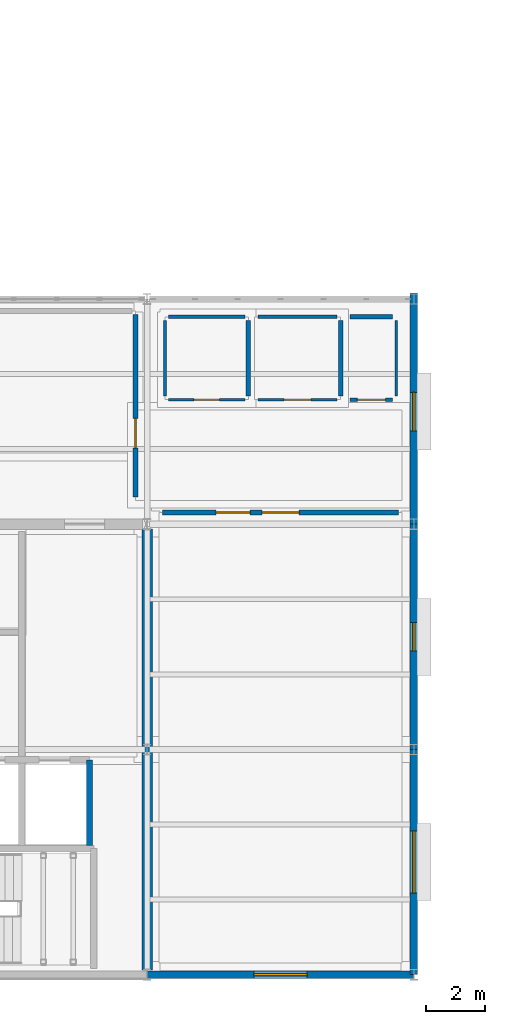
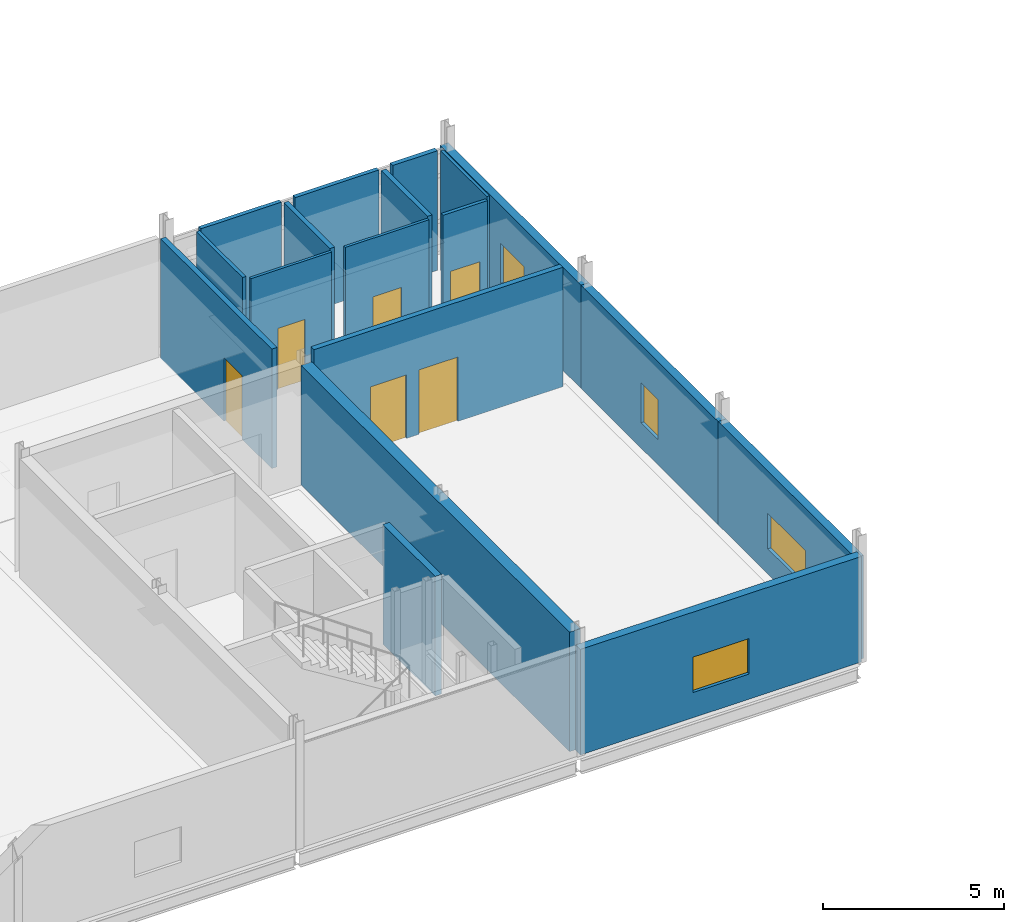
# One storey, part 87 of 96: 18 walls, 6 doors, 4 windows, 10 openings.
"""IFC4 building model written with IfcOpenShell, lengths in metres."""

from ifc_helpers import new_model, si_unit, direction, frame, frame_2d, origin, place, context, subcontext, project, spatial, rectangle, extrude, material, layer, layer_set, type_object, element, fill, save


model = new_model("IFC4")

# Units and contexts
model_context = context("Model", 3, precision=1e-05, world=origin(), true_north=direction((0.0, 1.0)))
body_context = subcontext(model_context, "Body", "Model", "MODEL_VIEW")
ifc_project = project(units=[si_unit("LENGTHUNIT", "METRE"), si_unit("AREAUNIT", "SQUARE_METRE"), si_unit("VOLUMEUNIT", "CUBIC_METRE"), si_unit("PLANEANGLEUNIT", "RADIAN"), si_unit("MASSUNIT", "GRAM", prefix="KILO")], contexts=[model_context])

# Site, building, storey
site_placement = place(None, origin())
site = spatial("IfcSite", under=ifc_project, at=site_placement, CompositionType="ELEMENT")
building_placement = place(site_placement, origin())
building = spatial("IfcBuilding", under=site, at=building_placement, Name="Caisbarro Railhouse Central Library", CompositionType="ELEMENT")
storey_placement = place(building_placement, frame((0.0, 0.0, 13.679931640625)))
storey = spatial("IfcBuildingStorey", under=building, at=storey_placement, Name="L03", CompositionType="ELEMENT", Elevation=13.679931640625)

# Wall
ifc_material_1 = material(Name="Concrete C40", Category="concrete")
ifc_layer_1 = layer(ifc_material_1, 0.35009765625, Name="Concrete C40")
ifc_layer_set_1 = layer_set([ifc_layer_1], Name="Concrete C40")
wall_type_1 = type_object("IfcWallType", Name="WAL-CW35", PredefinedType="SHEAR", material=ifc_layer_set_1)
wall_1_placement = place(storey_placement, frame((99.0, 0.159912109375, 0.0), z_axis=(0.0, 0.0, 1.0), x_axis=(0.0, 1.0, 0.0)))
element("IfcWall", 1, at=wall_1_placement, inside=storey, type_object=wall_type_1, Name="CW35 RC core shear wall L03 #34", PredefinedType="SHEAR", context=body_context, shape_type="SweptSolid", body=[
    extrude(rectangle(XDim=14.880126953125, YDim=0.35009765625, at=frame_2d((7.43994140625, 0.0))), origin(), (0.0, 0.0, 1.0), 4.0400390625),
])

# Wall, opening, window
ifc_material_2 = material(Name="Concrete C35 insulated architectural precast", Category="concrete")
ifc_layer_2 = layer(ifc_material_2, 0.260009765625, Name="Concrete C35 insulated architectural precast")
ifc_layer_set_2 = layer_set([ifc_layer_2], Name="Concrete C35 insulated architectural precast")
wall_type_2 = type_object("IfcWallType", Name="WAL-EW26", PredefinedType="STANDARD", material=ifc_layer_set_2)
wall_2_placement = place(storey_placement, frame((99.0, 0.0, 0.0), z_axis=(0.0, 0.0, 1.0), x_axis=(1.0, 0.0, 0.0)))
wall_2 = element("IfcWall", 2, at=wall_2_placement, inside=storey, type_object=wall_type_2, Name="EW26 exterior wall L03 #110", PredefinedType="STANDARD", context=body_context, shape_type="SweptSolid", body=[
    extrude(rectangle(XDim=9.0, YDim=0.260009765625, at=frame_2d((4.5, 0.0))), origin(), (0.0, 0.0, 1.0), 3.571044921875),
])
opening_1_placement = place(wall_2_placement, frame((3.60009765625, 0.0, 0.85009765625)))
opening_1 = element("IfcOpeningElement", 3, at=opening_1_placement, cuts=wall_2, Name="Opening W07", PredefinedType="OPENING", context=body_context, shape_type="SweptSolid", body=[
    extrude(rectangle(XDim=1.800048828125, YDim=1.199951171875, at=frame_2d((0.89990234375, 0.60009765625))), frame((0.0, 0.14013671875, 0.0), z_axis=(0.0, -1.0, 0.0), x_axis=(1.0, 0.0, 0.0)), (0.0, 0.0, 1.0), 0.280029296875),
])
ifc_material_3 = material(Name="Double low-e laminated solar-control glass", Category="glass")
window_type_1 = type_object("IfcWindowType", Name="WIN-W07", PartitioningType="SINGLE_PANEL", PredefinedType="WINDOW", material=ifc_material_3)
window_1_placement = place(opening_1_placement, origin())
window_1 = element("IfcWindow", 4, at=window_1_placement, inside=storey, type_object=window_type_1, Name="W07 window L03-030", OverallHeight=1.199951171875, OverallWidth=1.800048828125, PartitioningType="SINGLE_PANEL", PredefinedType="WINDOW", context=body_context, shape_type="SweptSolid", body=[
    extrude(rectangle(XDim=1.800048828125, YDim=1.199951171875, at=frame_2d((0.89990234375, 0.60009765625))), frame((0.0, 0.030029296875, 0.0), z_axis=(0.0, -1.0, 0.0), x_axis=(1.0, 0.0, 0.0)), (0.0, 0.0, 1.0), 0.06005859375),
])
fill(opening_1, window_1)

wall_3_placement = place(storey_placement, frame((108.0, 0.0, 0.0), z_axis=(0.0, 0.0, 1.0), x_axis=(0.0, 1.0, 0.0)))
wall_3 = element("IfcWall", 5, at=wall_3_placement, inside=storey, type_object=wall_type_2, Name="EW26 exterior wall L03 #111", PredefinedType="STANDARD", context=body_context, shape_type="SweptSolid", body=[
    extrude(rectangle(XDim=7.60009765625, YDim=0.260009765625, at=frame_2d((3.800048828125, 0.0))), origin(), (0.0, 0.0, 1.0), 3.484130859375),
])
opening_2_placement = place(wall_3_placement, frame((2.75, 0.0, 0.85009765625)))
opening_2 = element("IfcOpeningElement", 6, at=opening_2_placement, cuts=wall_3, Name="Opening W08", PredefinedType="OPENING", context=body_context, shape_type="SweptSolid", body=[
    extrude(rectangle(XDim=2.10009765625, YDim=1.199951171875, at=frame_2d((1.050048828125, 0.60009765625))), frame((0.0, 0.14013671875, 0.0), z_axis=(0.0, -1.0, 0.0), x_axis=(1.0, 0.0, 0.0)), (0.0, 0.0, 1.0), 0.280029296875),
])
window_type_2 = type_object("IfcWindowType", Name="WIN-W08", PartitioningType="SINGLE_PANEL", PredefinedType="WINDOW", material=ifc_material_3)
window_2_placement = place(opening_2_placement, origin())
window_2 = element("IfcWindow", 7, at=window_2_placement, inside=storey, type_object=window_type_2, Name="W08 window L03-031", OverallHeight=1.199951171875, OverallWidth=2.10009765625, PartitioningType="SINGLE_PANEL", PredefinedType="WINDOW", context=body_context, shape_type="SweptSolid", body=[
    extrude(rectangle(XDim=2.10009765625, YDim=1.199951171875, at=frame_2d((1.050048828125, 0.60009765625))), frame((0.0, 0.030029296875, 0.0), z_axis=(0.0, -1.0, 0.0), x_axis=(1.0, 0.0, 0.0)), (0.0, 0.0, 1.0), 0.06005859375),
])
fill(opening_2, window_2)

wall_4_placement = place(storey_placement, frame((108.0, 7.60009765625, 0.0), z_axis=(0.0, 0.0, 1.0), x_axis=(0.0, 1.0, 0.0)))
wall_4 = element("IfcWall", 8, at=wall_4_placement, inside=storey, type_object=wall_type_2, Name="EW26 exterior wall L03 #113", PredefinedType="STANDARD", context=body_context, shape_type="SweptSolid", body=[
    extrude(rectangle(XDim=7.599853515625, YDim=0.260009765625, at=frame_2d((3.7998046875, 0.0))), origin(), (0.0, 0.0, 1.0), 3.484130859375),
])
opening_3_placement = place(wall_4_placement, frame((3.324951171875, 0.0, 0.85009765625)))
opening_3 = element("IfcOpeningElement", 9, at=opening_3_placement, cuts=wall_4, Name="Opening W10", PredefinedType="OPENING", context=body_context, shape_type="SweptSolid", body=[
    extrude(rectangle(XDim=0.949951171875, YDim=1.35009765625, at=frame_2d((0.47509765625, 0.675048828125))), frame((0.0, 0.14013671875, 0.0), z_axis=(0.0, -1.0, 0.0), x_axis=(1.0, 0.0, 0.0)), (0.0, 0.0, 1.0), 0.280029296875),
])
window_type_3 = type_object("IfcWindowType", Name="WIN-W10", PartitioningType="SINGLE_PANEL", PredefinedType="WINDOW", material=ifc_material_3)
window_3_placement = place(opening_3_placement, origin())
window_3 = element("IfcWindow", 10, at=window_3_placement, inside=storey, type_object=window_type_3, Name="W10 window L03-033", OverallHeight=1.35009765625, OverallWidth=0.949951171875, PartitioningType="SINGLE_PANEL", PredefinedType="WINDOW", context=body_context, shape_type="SweptSolid", body=[
    extrude(rectangle(XDim=0.949951171875, YDim=1.35009765625, at=frame_2d((0.47509765625, 0.675048828125))), frame((0.0, 0.030029296875, 0.0), z_axis=(0.0, -1.0, 0.0), x_axis=(1.0, 0.0, 0.0)), (0.0, 0.0, 1.0), 0.06005859375),
])
fill(opening_3, window_3)

wall_5_placement = place(storey_placement, frame((108.0, 15.199951171875, 0.0), z_axis=(0.0, 0.0, 1.0), x_axis=(0.0, 1.0, 0.0)))
wall_5 = element("IfcWall", 11, at=wall_5_placement, inside=storey, type_object=wall_type_2, Name="EW26 exterior wall L03 #115", PredefinedType="STANDARD", context=body_context, shape_type="SweptSolid", body=[
    extrude(rectangle(XDim=7.81005859375, YDim=0.260009765625, at=frame_2d((3.905029296875, 0.0))), origin(), (0.0, 0.0, 1.0), 3.484130859375),
])
opening_4_placement = place(wall_5_placement, frame((3.14990234375, 0.0, 0.85009765625)))
opening_4 = element("IfcOpeningElement", 12, at=opening_4_placement, cuts=wall_5, Name="Opening W12", PredefinedType="OPENING", context=body_context, shape_type="SweptSolid", body=[
    extrude(rectangle(XDim=1.300048828125, YDim=1.35009765625, at=frame_2d((0.64990234375, 0.675048828125))), frame((0.0, 0.14013671875, 0.0), z_axis=(0.0, -1.0, 0.0), x_axis=(1.0, 0.0, 0.0)), (0.0, 0.0, 1.0), 0.280029296875),
])
window_type_4 = type_object("IfcWindowType", Name="WIN-W12", PartitioningType="SINGLE_PANEL", PredefinedType="WINDOW", material=ifc_material_3)
window_4_placement = place(opening_4_placement, origin())
window_4 = element("IfcWindow", 13, at=window_4_placement, inside=storey, type_object=window_type_4, Name="W12 window L03-035", OverallHeight=1.35009765625, OverallWidth=1.300048828125, PartitioningType="SINGLE_PANEL", PredefinedType="WINDOW", context=body_context, shape_type="SweptSolid", body=[
    extrude(rectangle(XDim=1.300048828125, YDim=1.35009765625, at=frame_2d((0.64990234375, 0.675048828125))), frame((0.0, 0.030029296875, 0.0), z_axis=(0.0, -1.0, 0.0), x_axis=(1.0, 0.0, 0.0)), (0.0, 0.0, 1.0), 0.06005859375),
])
fill(opening_4, window_4)

# Wall, opening, door
ifc_material_4 = material(Name="Acoustic gypsum board on galvanised steel studs", Category="steel")
ifc_layer_3 = layer(ifc_material_4, 0.090087890625, Name="Acoustic gypsum board on galvanised steel studs")
ifc_layer_set_3 = layer_set([ifc_layer_3], Name="Acoustic gypsum board on galvanised steel studs")
wall_type_3 = type_object("IfcWallType", Name="WAL-IW09", PredefinedType="PARTITIONING", material=ifc_layer_set_3)
wall_6_placement = place(storey_placement, frame((99.719970703125, 19.39990234375, 0.0), z_axis=(0.0, 0.0, 1.0), x_axis=(1.0, 0.0, 0.0)))
wall_6 = element("IfcWall", 14, at=wall_6_placement, inside=storey, type_object=wall_type_3, Name="IW09 partition wall L03 #548", PredefinedType="PARTITIONING", context=body_context, shape_type="SweptSolid", body=[
    extrude(rectangle(XDim=2.575927734375, YDim=0.090087890625, at=frame_2d((1.2880859375, 0.0))), origin(), (0.0, 0.0, 1.0), 4.0400390625),
])
opening_5_placement = place(wall_6_placement, frame((0.85791015625, 0.0, 0.0)))
opening_5 = element("IfcOpeningElement", 15, at=opening_5_placement, cuts=wall_6, Name="Opening ID01", PredefinedType="OPENING", context=body_context, shape_type="SweptSolid", body=[
    extrude(rectangle(XDim=0.860107421875, YDim=2.06005859375, at=frame_2d((0.43017578125, 1.030029296875))), frame((0.0, 0.05517578125, 0.0), z_axis=(0.0, -1.0, 0.0), x_axis=(1.0, 0.0, 0.0)), (0.0, 0.0, 1.0), 0.110107421875),
])
ifc_material_5 = material(Name="Solid-core tropical hardwood veneer", Category="wood")
door_type_1 = type_object("IfcDoorType", Name="DR-ID01", OperationType="NOTDEFINED", PredefinedType="DOOR", material=ifc_material_5)
door_1_placement = place(opening_5_placement, origin())
door_1 = element("IfcDoor", 16, at=door_1_placement, inside=storey, type_object=door_type_1, Name="Male WC L03-V5 Door ID01 L03-312", OperationType="SINGLE_SWING_RIGHT", OverallHeight=2.06005859375, OverallWidth=0.860107421875, PredefinedType="DOOR", context=body_context, shape_type="SweptSolid", body=[
    extrude(rectangle(XDim=0.860107421875, YDim=2.06005859375, at=frame_2d((0.43017578125, 1.030029296875))), frame((0.0, 0.02490234375, 0.0), z_axis=(0.0, -1.0, 0.0), x_axis=(1.0, 0.0, 0.0)), (0.0, 0.0, 1.0), 0.050048828125),
])
fill(opening_5, door_1)

wall_7_placement = place(storey_placement, frame((102.736083984375, 19.39990234375, 0.0), z_axis=(0.0, 0.0, 1.0), x_axis=(1.0, 0.0, 0.0)))
wall_7 = element("IfcWall", 17, at=wall_7_placement, inside=storey, type_object=wall_type_3, Name="IW09 partition wall L03 #552", PredefinedType="PARTITIONING", context=body_context, shape_type="SweptSolid", body=[
    extrude(rectangle(XDim=2.676025390625, YDim=0.090087890625, at=frame_2d((1.337890625, 0.0))), origin(), (0.0, 0.0, 1.0), 4.0400390625),
])
opening_6_placement = place(wall_7_placement, frame((0.887939453125, 0.0, 0.0)))
opening_6 = element("IfcOpeningElement", 18, at=opening_6_placement, cuts=wall_7, Name="Opening ID02", PredefinedType="OPENING", context=body_context, shape_type="SweptSolid", body=[
    extrude(rectangle(XDim=0.89990234375, YDim=2.06005859375, at=frame_2d((0.449951171875, 1.030029296875))), frame((0.0, 0.05517578125, 0.0), z_axis=(0.0, -1.0, 0.0), x_axis=(1.0, 0.0, 0.0)), (0.0, 0.0, 1.0), 0.110107421875),
])
door_type_2 = type_object("IfcDoorType", Name="DR-ID02", OperationType="NOTDEFINED", PredefinedType="DOOR", material=ifc_material_5)
door_2_placement = place(opening_6_placement, origin())
door_2 = element("IfcDoor", 19, at=door_2_placement, inside=storey, type_object=door_type_2, Name="Female WC L03-V5 Door ID02 L03-313", OperationType="SINGLE_SWING_LEFT", OverallHeight=2.06005859375, OverallWidth=0.89990234375, PredefinedType="DOOR", context=body_context, shape_type="SweptSolid", body=[
    extrude(rectangle(XDim=0.89990234375, YDim=2.06005859375, at=frame_2d((0.449951171875, 1.030029296875))), frame((0.0, 0.02490234375, 0.0), z_axis=(0.0, -1.0, 0.0), x_axis=(1.0, 0.0, 0.0)), (0.0, 0.0, 1.0), 0.050048828125),
])
fill(opening_6, door_2)

# Walls
wall_8_placement = place(storey_placement, frame((107.39990234375, 19.52001953125, 0.0), z_axis=(0.0, 0.0, 1.0), x_axis=(0.0, 1.0, 0.0)))
element("IfcWall", 20, at=wall_8_placement, inside=storey, type_object=wall_type_3, Name="IW09 partition wall L03 #556", PredefinedType="PARTITIONING", context=body_context, shape_type="SweptSolid", body=[
    extrude(rectangle(XDim=2.56005859375, YDim=0.090087890625, at=frame_2d((1.280029296875, 0.0))), origin(), (0.0, 0.0, 1.0), 4.0400390625),
])
ifc_layer_4 = layer(ifc_material_4, 0.110107421875, Name="Acoustic gypsum board on galvanised steel studs")
ifc_layer_set_4 = layer_set([ifc_layer_4], Name="Acoustic gypsum board on galvanised steel studs")
wall_type_4 = type_object("IfcWallType", Name="WAL-IW11", PredefinedType="PARTITIONING", material=ifc_layer_set_4)
wall_9_placement = place(storey_placement, frame((99.60009765625, 19.52001953125, 0.0), z_axis=(0.0, 0.0, 1.0), x_axis=(0.0, 1.0, 0.0)))
element("IfcWall", 21, at=wall_9_placement, inside=storey, type_object=wall_type_4, Name="IW11 partition wall L03 #551", PredefinedType="PARTITIONING", context=body_context, shape_type="SweptSolid", body=[
    extrude(rectangle(XDim=2.56005859375, YDim=0.110107421875, at=frame_2d((1.280029296875, 0.0))), origin(), (0.0, 0.0, 1.0), 4.0400390625),
])

# Wall, opening, door
wall_10_placement = place(storey_placement, frame((105.85205078125, 19.39990234375, 0.0), z_axis=(0.0, 0.0, 1.0), x_axis=(1.0, 0.0, 0.0)))
wall_10 = element("IfcWall", 22, at=wall_10_placement, inside=storey, type_object=wall_type_4, Name="IW11 partition wall L03 #555", PredefinedType="PARTITIONING", context=body_context, shape_type="SweptSolid", body=[
    extrude(rectangle(XDim=1.427978515625, YDim=0.110107421875, at=frame_2d((0.7138671875, 0.0))), origin(), (0.0, 0.0, 1.0), 4.0400390625),
])
opening_7_placement = place(wall_10_placement, frame((0.243896484375, 0.0, 0.0)))
opening_7 = element("IfcOpeningElement", 23, at=opening_7_placement, cuts=wall_10, Name="Opening ID03", PredefinedType="OPENING", context=body_context, shape_type="SweptSolid", body=[
    extrude(rectangle(XDim=0.93994140625, YDim=2.06005859375, at=frame_2d((0.469970703125, 1.030029296875))), frame((0.0, 0.06494140625, 0.0), z_axis=(0.0, -1.0, 0.0), x_axis=(1.0, 0.0, 0.0)), (0.0, 0.0, 1.0), 0.130126953125),
])
door_type_3 = type_object("IfcDoorType", Name="DR-ID03", OperationType="NOTDEFINED", PredefinedType="DOOR", material=ifc_material_5)
door_3_placement = place(opening_7_placement, origin())
door_3 = element("IfcDoor", 24, at=door_3_placement, inside=storey, type_object=door_type_3, Name="Accessible WC L03-V5 Door ID03 L03-314", OperationType="SINGLE_SWING_RIGHT", OverallHeight=2.06005859375, OverallWidth=0.93994140625, PredefinedType="DOOR", context=body_context, shape_type="SweptSolid", body=[
    extrude(rectangle(XDim=0.93994140625, YDim=2.06005859375, at=frame_2d((0.469970703125, 1.030029296875))), frame((0.0, 0.02490234375, 0.0), z_axis=(0.0, -1.0, 0.0), x_axis=(1.0, 0.0, 0.0)), (0.0, 0.0, 1.0), 0.050048828125),
])
fill(opening_7, door_3)

# Walls
ifc_layer_5 = layer(ifc_material_4, 0.1298828125, Name="Acoustic gypsum board on galvanised steel studs")
ifc_layer_set_5 = layer_set([ifc_layer_5], Name="Acoustic gypsum board on galvanised steel studs")
wall_type_5 = type_object("IfcWallType", Name="WAL-IW13", PredefinedType="PARTITIONING", material=ifc_layer_set_5)
wall_11_placement = place(storey_placement, frame((99.719970703125, 22.199951171875, 0.0), z_axis=(0.0, 0.0, 1.0), x_axis=(1.0, 0.0, 0.0)))
element("IfcWall", 25, at=wall_11_placement, inside=storey, type_object=wall_type_5, Name="IW13 partition wall L03 #550", PredefinedType="PARTITIONING", context=body_context, shape_type="SweptSolid", body=[
    extrude(rectangle(XDim=2.575927734375, YDim=0.1298828125, at=frame_2d((1.2880859375, 0.0))), origin(), (0.0, 0.0, 1.0), 4.0400390625),
])
wall_12_placement = place(storey_placement, frame((102.736083984375, 22.199951171875, 0.0), z_axis=(0.0, 0.0, 1.0), x_axis=(1.0, 0.0, 0.0)))
element("IfcWall", 26, at=wall_12_placement, inside=storey, type_object=wall_type_5, Name="IW13 partition wall L03 #554", PredefinedType="PARTITIONING", context=body_context, shape_type="SweptSolid", body=[
    extrude(rectangle(XDim=2.676025390625, YDim=0.1298828125, at=frame_2d((1.337890625, 0.0))), origin(), (0.0, 0.0, 1.0), 4.0400390625),
])
ifc_layer_6 = layer(ifc_material_4, 0.14990234375, Name="Acoustic gypsum board on galvanised steel studs")
ifc_layer_set_6 = layer_set([ifc_layer_6], Name="Acoustic gypsum board on galvanised steel studs")
wall_type_6 = type_object("IfcWallType", Name="WAL-IW15", PredefinedType="PARTITIONING", material=ifc_layer_set_6)
for number, where, z_axis, x_axis, name in (
    (27, (102.416015625, 19.52001953125, 0.0), (0.0, 0.0, 1.0), (0.0, 1.0, 0.0), "IW15 partition wall L03 #549"),
    (28, (105.531982421875, 19.52001953125, 0.0), (0.0, 0.0, 1.0), (0.0, 1.0, 0.0), "IW15 partition wall L03 #553"),
):
    element("IfcWall", number, at=place(storey_placement, frame(where, z_axis=z_axis, x_axis=x_axis)), inside=storey, type_object=wall_type_6, Name=name, PredefinedType="PARTITIONING", context=body_context, shape_type="SweptSolid", body=[
        extrude(rectangle(XDim=2.56005859375, YDim=0.14990234375, at=frame_2d((1.280029296875, 0.0))), origin(), (0.0, 0.0, 1.0), 4.0400390625),
    ])
wall_13_placement = place(storey_placement, frame((105.85205078125, 22.199951171875, 0.0), z_axis=(0.0, 0.0, 1.0), x_axis=(1.0, 0.0, 0.0)))
element("IfcWall", 29, at=wall_13_placement, inside=storey, type_object=wall_type_6, Name="IW15 partition wall L03 #557", PredefinedType="PARTITIONING", context=body_context, shape_type="SweptSolid", body=[
    extrude(rectangle(XDim=1.427978515625, YDim=0.14990234375, at=frame_2d((0.7138671875, 0.0))), origin(), (0.0, 0.0, 1.0), 4.0400390625),
])

# Wall, opening, door
ifc_material_6 = material(Name="Plastered cellular concrete masonry", Category="masonry")
ifc_layer_7 = layer(ifc_material_6, 0.169921875, Name="Plastered cellular concrete masonry")
ifc_layer_set_7 = layer_set([ifc_layer_7], Name="Plastered cellular concrete masonry")
wall_type_7 = type_object("IfcWallType", Name="WAL-IW17", PredefinedType="PARTITIONING", material=ifc_layer_set_7)
wall_14_placement = place(storey_placement, frame((98.60009765625, 16.1201171875, 0.0), z_axis=(0.0, 0.0, 1.0), x_axis=(0.0, 1.0, 0.0)))
wall_14 = element("IfcWall", 30, at=wall_14_placement, inside=storey, type_object=wall_type_7, Name="IW17 partition wall L03 #542", PredefinedType="PARTITIONING", context=body_context, shape_type="SweptSolid", body=[
    extrude(rectangle(XDim=6.159912109375, YDim=0.169921875, at=frame_2d((3.080078125, 0.0))), origin(), (0.0, 0.0, 1.0), 4.0400390625),
])
opening_8_placement = place(wall_14_placement, frame((1.64990234375, 0.0, 0.0)))
opening_8 = element("IfcOpeningElement", 31, at=opening_8_placement, cuts=wall_14, Name="Opening FD05", PredefinedType="OPENING", context=body_context, shape_type="SweptSolid", body=[
    extrude(rectangle(XDim=1.0, YDim=2.14990234375, at=frame_2d((0.5, 1.074951171875))), frame((0.0, 0.094970703125, 0.0), z_axis=(0.0, -1.0, 0.0), x_axis=(1.0, 0.0, 0.0)), (0.0, 0.0, 1.0), 0.18994140625),
])
ifc_material_7 = material(Name="Fire-rated painted galvanised steel", Category="steel")
door_type_4 = type_object("IfcDoorType", Name="DR-FD05", OperationType="NOTDEFINED", PredefinedType="DOOR", material=ifc_material_7)
door_4_placement = place(opening_8_placement, origin())
door_4 = element("IfcDoor", 32, at=door_4_placement, inside=storey, type_object=door_type_4, Name="East Archive Corridor L03 Door FD05 L03-307", OperationType="SINGLE_SWING_LEFT", OverallHeight=2.14990234375, OverallWidth=1.0, PredefinedType="DOOR", context=body_context, shape_type="SweptSolid", body=[
    extrude(rectangle(XDim=1.0, YDim=2.14990234375, at=frame_2d((0.5, 1.074951171875))), frame((0.0, 0.02490234375, 0.0), z_axis=(0.0, -1.0, 0.0), x_axis=(1.0, 0.0, 0.0)), (0.0, 0.0, 1.0), 0.050048828125),
])
fill(opening_8, door_4)

# Wall, openings, doors
wall_15_placement = place(storey_placement, frame((99.52001953125, 15.60009765625, 0.0), z_axis=(0.0, 0.0, 1.0), x_axis=(1.0, 0.0, 0.0)))
wall_15 = element("IfcWall", 33, at=wall_15_placement, inside=storey, type_object=wall_type_7, Name="IW17 partition wall L03 #547", PredefinedType="PARTITIONING", context=body_context, shape_type="SweptSolid", body=[
    extrude(rectangle(XDim=7.9599609375, YDim=0.169921875, at=frame_2d((3.97998046875, 0.0))), origin(), (0.0, 0.0, 1.0), 4.0400390625),
])
opening_9_placement = place(wall_15_placement, frame((3.35498046875, 0.0, 0.0)))
opening_9 = element("IfcOpeningElement", 34, at=opening_9_placement, cuts=wall_15, Name="Opening FD04", PredefinedType="OPENING", context=body_context, shape_type="SweptSolid", body=[
    extrude(rectangle(XDim=1.25, YDim=2.179931640625, at=frame_2d((0.625, 1.08984375))), frame((0.0, 0.094970703125, 0.0), z_axis=(0.0, -1.0, 0.0), x_axis=(1.0, 0.0, 0.0)), (0.0, 0.0, 1.0), 0.18994140625),
])
opening_10_placement = place(wall_15_placement, frame((1.804931640625, 0.0, 0.0)))
opening_10 = element("IfcOpeningElement", 35, at=opening_10_placement, cuts=wall_15, Name="Opening FD03", PredefinedType="OPENING", context=body_context, shape_type="SweptSolid", body=[
    extrude(rectangle(XDim=1.14990234375, YDim=2.14990234375, at=frame_2d((0.574951171875, 1.074951171875))), frame((0.0, 0.094970703125, 0.0), z_axis=(0.0, -1.0, 0.0), x_axis=(1.0, 0.0, 0.0)), (0.0, 0.0, 1.0), 0.18994140625),
])
door_type_5 = type_object("IfcDoorType", Name="DR-FD03", OperationType="NOTDEFINED", PredefinedType="DOOR", material=ifc_material_7)
door_5_placement = place(opening_10_placement, origin())
door_5 = element("IfcDoor", 36, at=door_5_placement, inside=storey, type_object=door_type_5, Name="East Archive Corridor L03 Door FD03 L03-327", OperationType="SINGLE_SWING_LEFT", OverallHeight=2.14990234375, OverallWidth=1.14990234375, PredefinedType="DOOR", context=body_context, shape_type="SweptSolid", body=[
    extrude(rectangle(XDim=1.14990234375, YDim=2.14990234375, at=frame_2d((0.574951171875, 1.074951171875))), frame((0.0, 0.02490234375, 0.0), z_axis=(0.0, -1.0, 0.0), x_axis=(1.0, 0.0, 0.0)), (0.0, 0.0, 1.0), 0.050048828125),
])
fill(opening_10, door_5)
door_type_6 = type_object("IfcDoorType", Name="DR-FD04", OperationType="NOTDEFINED", PredefinedType="DOOR", material=ifc_material_7)
door_6_placement = place(opening_9_placement, origin())
door_6 = element("IfcDoor", 37, at=door_6_placement, inside=storey, type_object=door_type_6, Name="Government Gazette Closed Archive Door FD04 L03-311", OperationType="SINGLE_SWING_LEFT", OverallHeight=2.179931640625, OverallWidth=1.25, PredefinedType="DOOR", context=body_context, shape_type="SweptSolid", body=[
    extrude(rectangle(XDim=1.25, YDim=2.179931640625, at=frame_2d((0.625, 1.08984375))), frame((0.0, 0.02490234375, 0.0), z_axis=(0.0, -1.0, 0.0), x_axis=(1.0, 0.0, 0.0)), (0.0, 0.0, 1.0), 0.050048828125),
])
fill(opening_9, door_6)

# Wall
ifc_layer_8 = layer(ifc_material_1, 0.2099609375, Name="Concrete C40")
ifc_layer_set_8 = layer_set([ifc_layer_8], Name="Concrete C40")
wall_type_8 = type_object("IfcWallType", Name="WAL-SW21", PredefinedType="SOLIDWALL", material=ifc_layer_set_8)
wall_16_placement = place(storey_placement, frame((97.050048828125, 4.35009765625, 0.0), z_axis=(0.0, 0.0, 1.0), x_axis=(0.0, 1.0, 0.0)))
element("IfcWall", 38, at=wall_16_placement, inside=storey, type_object=wall_type_8, Name="SW21 core shaft wall L03 #82", PredefinedType="SOLIDWALL", context=body_context, shape_type="SweptSolid", body=[
    extrude(rectangle(XDim=2.89990234375, YDim=0.2099609375, at=frame_2d((1.449951171875, 0.0))), origin(), (0.0, 0.0, 1.0), 4.0400390625),
])

save(model, "model.ifc")
